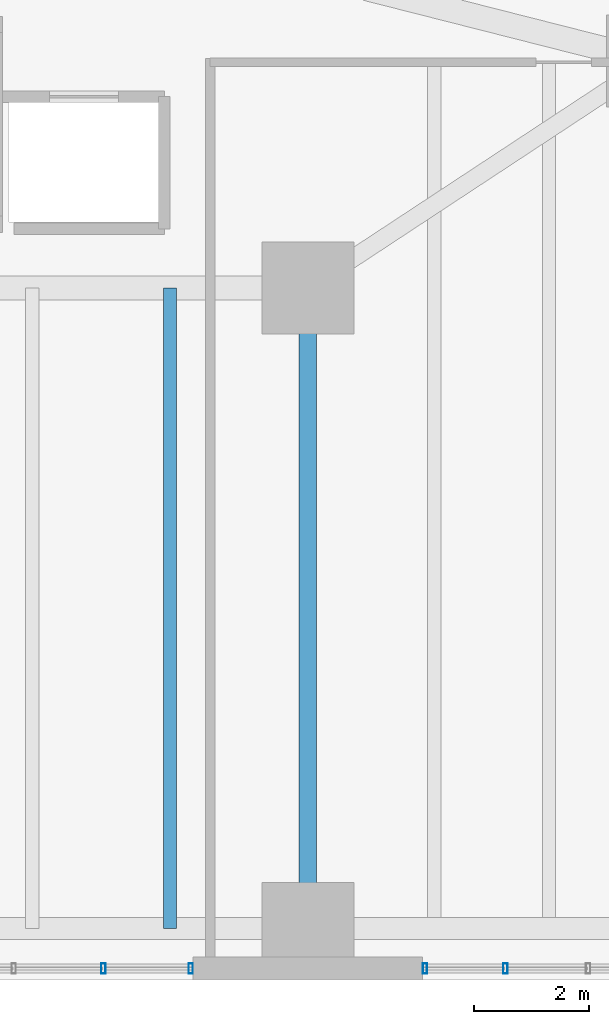
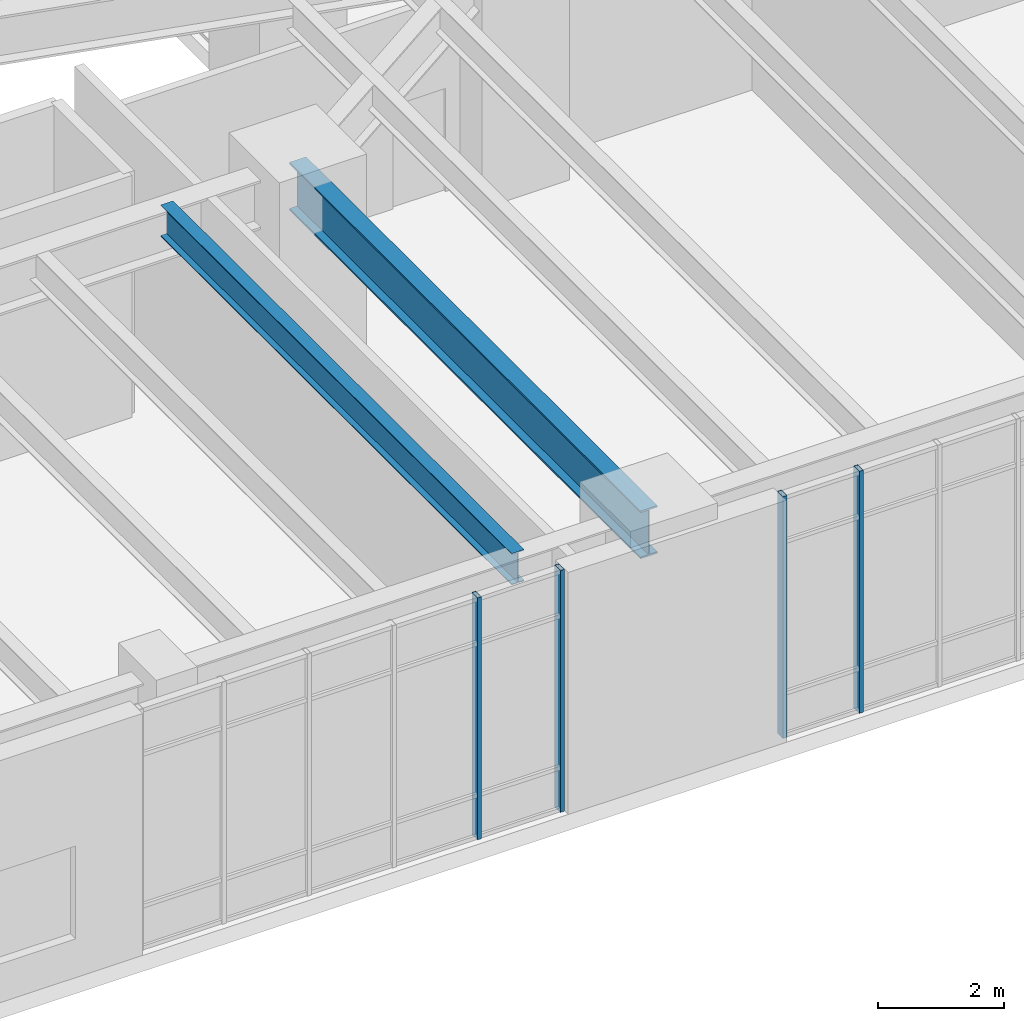
# One storey, part 4 of 26: 4 members, 2 beams, 2 elements without a shape of their own.
"""IFC4 building model written with IfcOpenShell, lengths in metres."""

from ifc_helpers import new_model, si_unit, direction, frame, origin, origin_2d, place, context, subcontext, project, spatial, hollow_rectangle, i_section, extrude, material, layer, layer_set, material_profile, profile_set, type_object, element, aggregate, save


model = new_model("IFC4")

# Units and contexts
model_context = context("Model", 3, precision=1e-05, world=origin(), true_north=direction((0.0, 1.0)))
body_context = subcontext(model_context, "Body", "Model", "MODEL_VIEW")
ifc_project = project(units=[si_unit("LENGTHUNIT", "METRE"), si_unit("AREAUNIT", "SQUARE_METRE"), si_unit("VOLUMEUNIT", "CUBIC_METRE"), si_unit("PLANEANGLEUNIT", "RADIAN"), si_unit("MASSUNIT", "GRAM", prefix="KILO"), si_unit("THERMODYNAMICTEMPERATUREUNIT", "KELVIN"), si_unit("POWERUNIT", "WATT")], contexts=[model_context])

# Site, building, storey
site_placement = place(None, origin())
site = spatial("IfcSite", under=ifc_project, at=site_placement, CompositionType="ELEMENT")
building_placement = place(site_placement, origin())
building = spatial("IfcBuilding", under=site, at=building_placement, Name="Skarre Station Tower", CompositionType="ELEMENT")
storey_placement = place(building_placement, frame((0.0, 0.0, 6.0)))
storey = spatial("IfcBuildingStorey", under=building, at=storey_placement, Name="L02", CompositionType="ELEMENT", Elevation=6.0)

# Curtain wall, members
ifc_material_1 = material(Name="Thermally Broken Bronze-Anodized Aluminium & Triple Low-E Glass", Category="aluminium")
ifc_layer = layer(ifc_material_1, 0.199951171875, Name="Thermally Broken Bronze-Anodized Aluminium & Triple Low-E Glass")
ifc_layer_set = layer_set([ifc_layer], Name="Thermally Broken Bronze-Anodized Aluminium & Triple Low-E Glass")
curtain_wall_type = type_object("IfcCurtainWallType", Name="Podium Transit Arcade Stick Curtain Wall", PredefinedType="NOTDEFINED", material=ifc_layer_set)
curtain_wall_1_placement = place(storey_placement, origin())
curtain_wall_1 = element("IfcCurtainWall", 1, at=curtain_wall_1_placement, inside=storey, type_object=curtain_wall_type, Name="L02 South Concourse Portal East Curtain Wall", PredefinedType="NOTDEFINED")
ifc_material_2 = material(Name="Anodized Aluminium 6063-T6", Category="aluminium")
ifc_material_profile_1 = material_profile(ifc_material_2, hollow_rectangle(XDim=0.074951171875, YDim=0.179931640625, WallThickness=0.00390625, at=origin_2d()), Name="Anodized Aluminium 6063-T6")
ifc_profile_set_1 = profile_set([ifc_material_profile_1], Name="Anodized Aluminium 6063-T6")
member_type = type_object("IfcMemberType", Name="Curtain-Wall Unitised Tower Mullion 180x75", PredefinedType="MULLION", material=ifc_profile_set_1)
member_1_placement = place(storey_placement, frame((39.43994140625, 0.199951171875, 0.0), z_axis=(0.0, 0.0, 1.0), x_axis=(-1.0, 0.0, 0.0)))
member_1 = element("IfcMember", 2, at=member_1_placement, type_object=member_type, Name="L02 South Concourse Portal East Curtain Wall Mullion 10", PredefinedType="MULLION", context=body_context, shape_type="SweptSolid", body=[
    extrude(hollow_rectangle(XDim=0.074951171875, YDim=0.179931640625, WallThickness=0.00390625, at=origin_2d()), origin(), (0.0, 0.0, 1.0), 4.68994140625),
])
member_2_placement = place(storey_placement, frame((38.0400390625, 0.199951171875, 0.0), z_axis=(0.0, 0.0, 1.0), x_axis=(-1.0, 0.0, 0.0)))
member_2 = element("IfcMember", 3, at=member_2_placement, type_object=member_type, Name="L02 South Concourse Portal East Curtain Wall Mullion 11", PredefinedType="MULLION", context=body_context, shape_type="SweptSolid", body=[
    extrude(hollow_rectangle(XDim=0.074951171875, YDim=0.179931640625, WallThickness=0.00390625, at=origin_2d()), origin(), (0.0, 0.0, 1.0), 4.68994140625),
])
aggregate(curtain_wall_1, [member_1, member_2])

curtain_wall_2_placement = place(storey_placement, origin())
curtain_wall_2 = element("IfcCurtainWall", 4, at=curtain_wall_2_placement, inside=storey, type_object=curtain_wall_type, Name="L02 South Concourse Portal West Curtain Wall", PredefinedType="NOTDEFINED")
member_3_placement = place(storey_placement, frame((33.9599609375, 0.199951171875, 0.0), z_axis=(0.0, 0.0, 1.0), x_axis=(-1.0, 0.0, 0.0)))
member_3 = element("IfcMember", 5, at=member_3_placement, type_object=member_type, Name="L02 South Concourse Portal West Curtain Wall Mullion 1", PredefinedType="MULLION", context=body_context, shape_type="SweptSolid", body=[
    extrude(hollow_rectangle(XDim=0.074951171875, YDim=0.179931640625, WallThickness=0.00390625, at=origin_2d()), origin(), (0.0, 0.0, 1.0), 4.68994140625),
])
member_4_placement = place(storey_placement, frame((32.43994140625, 0.199951171875, 0.0), z_axis=(0.0, 0.0, 1.0), x_axis=(-1.0, 0.0, 0.0)))
member_4 = element("IfcMember", 6, at=member_4_placement, type_object=member_type, Name="L02 South Concourse Portal West Curtain Wall Mullion 2", PredefinedType="MULLION", context=body_context, shape_type="SweptSolid", body=[
    extrude(hollow_rectangle(XDim=0.074951171875, YDim=0.179931640625, WallThickness=0.00390625, at=origin_2d()), origin(), (0.0, 0.0, 1.0), 4.68994140625),
])
aggregate(curtain_wall_2, [member_3, member_4])

# Beams
ifc_material_3 = material(Name="Steel ASTM A992 Grade 50", Category="steel")
ifc_material_profile_2 = material_profile(ifc_material_3, i_section(OverallWidth=0.30810546875, OverallDepth=0.927001953125, WebThickness=0.01904296875, FlangeThickness=0.031982421875, at=origin_2d()), Name="Steel ASTM A992 Grade 50")
ifc_profile_set_2 = profile_set([ifc_material_profile_2], Name="Steel ASTM A992 Grade 50")
beam_type_1 = type_object("IfcBeamType", Name="Steel Beam W36X194", PredefinedType="BEAM", material=ifc_profile_set_2)
beam_1_placement = place(storey_placement, frame((36.0, 0.89990234375, 4.22607421875), z_axis=(0.0, 1.0, 0.0), x_axis=(-1.0, 0.0, 0.0)))
element("IfcBeam", 7, at=beam_1_placement, inside=storey, type_object=beam_type_1, Name="L02 Concourse Transverse Girder NS3", PredefinedType="BEAM", context=body_context, shape_type="SweptSolid", body=[
    extrude(i_section(OverallWidth=0.30810546875, OverallDepth=0.927001953125, WebThickness=0.01904296875, FlangeThickness=0.031982421875, at=origin_2d()), origin(), (0.0, 0.0, 1.0), 11.150146484375),
])
ifc_material_profile_3 = material_profile(ifc_material_3, i_section(OverallWidth=0.22802734375, OverallDepth=0.60791015625, WebThickness=0.010986328125, FlangeThickness=0.01708984375, at=origin_2d()), Name="Steel ASTM A992 Grade 50")
ifc_profile_set_3 = profile_set([ifc_material_profile_3], Name="Steel ASTM A992 Grade 50")
beam_type_2 = type_object("IfcBeamType", Name="Steel Joist W24X76", PredefinedType="JOIST", material=ifc_profile_set_3)
beam_2_placement = place(storey_placement, frame((33.60009765625, 0.89990234375, 4.385986328125), z_axis=(0.0, 1.0, 0.0), x_axis=(-1.0, 0.0, 0.0)))
element("IfcBeam", 8, at=beam_2_placement, inside=storey, type_object=beam_type_2, Name="L02 South Bay Joist 13", PredefinedType="JOIST", context=body_context, shape_type="SweptSolid", body=[
    extrude(i_section(OverallWidth=0.22802734375, OverallDepth=0.60791015625, WebThickness=0.010986328125, FlangeThickness=0.01708984375, at=origin_2d()), origin(), (0.0, 0.0, 1.0), 11.150146484375),
])

save(model, "model.ifc")
